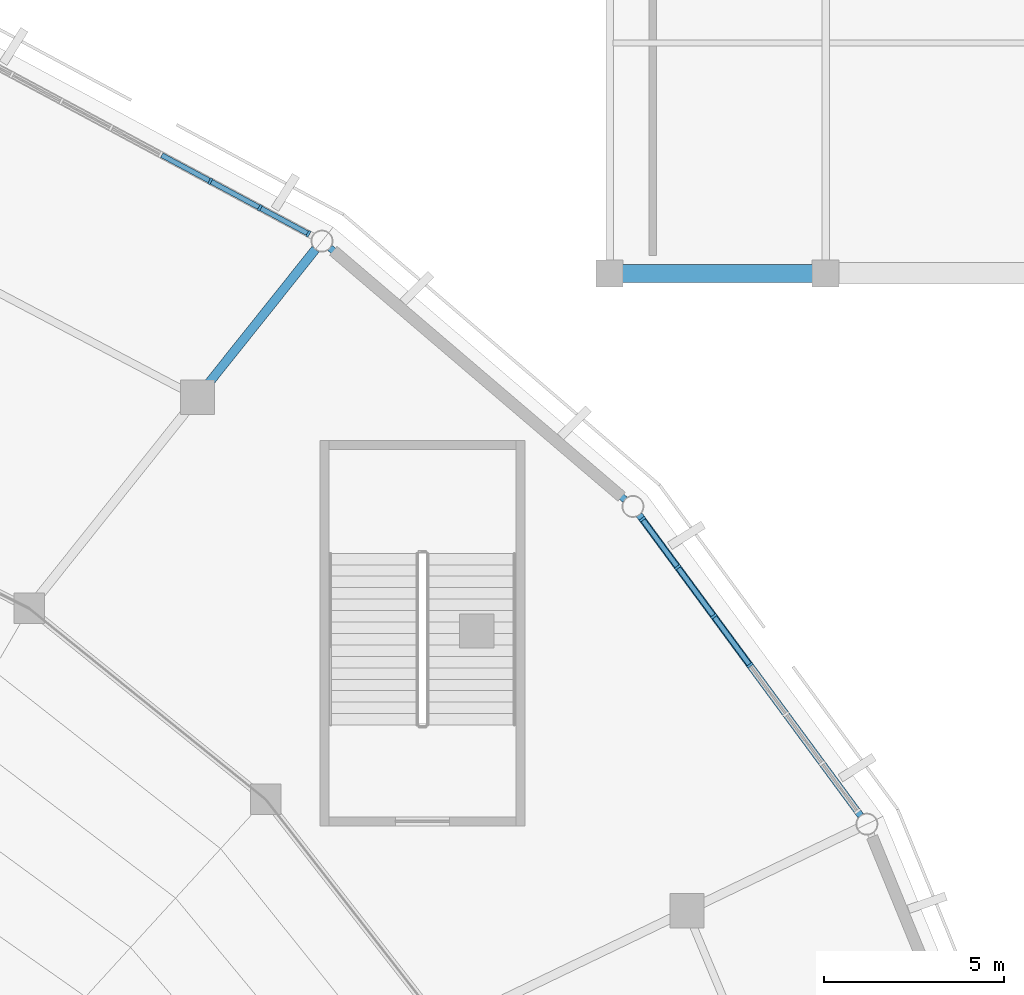
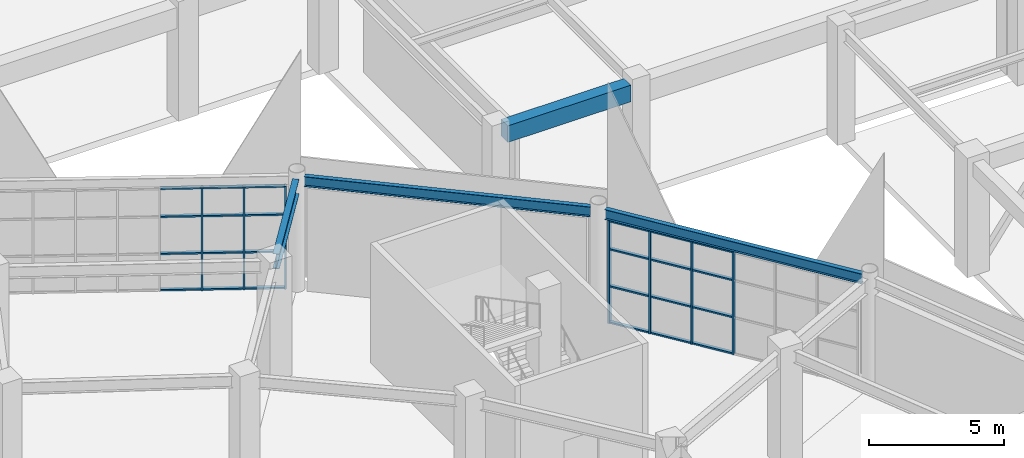
# One storey, part 44 of 120: 31 members, 4 beams, 2 elements without a shape of their own.
"""IFC4 building model written with IfcOpenShell, lengths in metres."""

from ifc_helpers import new_model, si_unit, direction, frame, origin, origin_2d, place, context, subcontext, project, spatial, rectangle, i_section, extrude, material, material_profile, profile_set, type_object, element, aggregate, save


model = new_model("IFC4")

# Units and contexts
model_context = context("Model", 3, precision=1e-05, world=origin(), true_north=direction((0.0, 1.0)))
body_context = subcontext(model_context, "Body", "Model", "MODEL_VIEW")
ifc_project = project(units=[si_unit("LENGTHUNIT", "METRE"), si_unit("AREAUNIT", "SQUARE_METRE"), si_unit("VOLUMEUNIT", "CUBIC_METRE"), si_unit("PLANEANGLEUNIT", "RADIAN"), si_unit("MASSUNIT", "GRAM", prefix="KILO")], contexts=[model_context])

# Site, building, storey
site_placement = place(None, origin())
site = spatial("IfcSite", under=ifc_project, at=site_placement, CompositionType="ELEMENT")
building_placement = place(site_placement, origin())
building = spatial("IfcBuilding", under=site, at=building_placement, Name="Cuetzalor Civic Arena", CompositionType="ELEMENT")
storey_placement = place(building_placement, frame((0.0, 0.0, 6.0)))
storey = spatial("IfcBuildingStorey", under=building, at=storey_placement, Name="L01", CompositionType="ELEMENT", Elevation=6.0)

# Beam
ifc_material_1 = material(Name="Concrete C40/50", Category="concrete")
ifc_material_profile_1 = material_profile(ifc_material_1, rectangle(XDim=0.5, YDim=0.75, at=origin_2d()), Name="RC 500x750")
ifc_profile_set_1 = profile_set([ifc_material_profile_1], Name="Concrete C40/50")
beam_type_1 = type_object("IfcBeamType", Name="ConcreteFrameBeam_500x750", PredefinedType="BEAM", material=ifc_profile_set_1)
beam_1_placement = place(storey_placement, frame((42.364990234375, 35.5, 4.705078125), z_axis=(1.0, 0.0, 0.0), x_axis=(0.0, 1.0, 0.0)))
element("IfcBeam", 1, at=beam_1_placement, inside=storey, type_object=beam_type_1, Name="Frame Girder V5-L01-X0504", PredefinedType="BEAM", context=body_context, shape_type="SweptSolid", body=[
    extrude(rectangle(XDim=0.5, YDim=0.75, at=origin_2d()), origin(), (0.0, 0.0, 1.0), 5.27001953125),
])

# Curtain wall, members
ifc_material_2 = material(Name="Anodised dark bronze aluminium and low-E solar glass", Category="aluminium")
curtain_wall_type_1 = type_object("IfcCurtainWallType", Name="UnitisedCW_10150x4650", PredefinedType="USERDEFINED", material=ifc_material_2)
curtain_wall_1_placement = place(storey_placement, origin())
curtain_wall_1 = element("IfcCurtainWall", 2, at=curtain_wall_1_placement, inside=storey, type_object=curtain_wall_type_1, Name="Drum Triangle Foyer Curtain Wall L01-021", ObjectType="UNITISED CURTAIN WALL", PredefinedType="USERDEFINED")
ifc_material_3 = material(Name="Anodised dark bronze aluminium", Category="aluminium")
ifc_material_profile_2 = material_profile(ifc_material_3, rectangle(XDim=0.070068359375, YDim=0.179931640625, at=origin_2d()), Name="ALU MULLION 70x180")
ifc_profile_set_2 = profile_set([ifc_material_profile_2], Name="Anodised dark bronze aluminium")
member_type_1 = type_object("IfcMemberType", Name="CurtainWallMullion_65x180", PredefinedType="MULLION", material=ifc_profile_set_2)
member_1_placement = place(storey_placement, frame((42.911865234375, 28.66650390625, 0.0), z_axis=(0.0, 0.0, 1.0), x_axis=(0.59292931222, -0.805254513002, 0.0)))
member_1 = element("IfcMember", 3, at=member_1_placement, type_object=member_type_1, Name="CW-06 mullion 1", PredefinedType="MULLION", context=body_context, shape_type="SweptSolid", body=[
    extrude(rectangle(XDim=0.070068359375, YDim=0.179931640625, at=origin_2d()), origin(), (0.0, 0.0, 1.0), 4.653076171875),
])
member_2_placement = place(storey_placement, frame((43.8935546875, 27.333251953125, 0.0), z_axis=(0.0, 0.0, 1.0), x_axis=(0.59292931222, -0.805254513002, 0.0)))
member_2 = element("IfcMember", 4, at=member_2_placement, type_object=member_type_1, Name="CW-06 mullion 2", PredefinedType="MULLION", context=body_context, shape_type="SweptSolid", body=[
    extrude(rectangle(XDim=0.070068359375, YDim=0.179931640625, at=origin_2d()), origin(), (0.0, 0.0, 1.0), 4.653076171875),
])
member_3_placement = place(storey_placement, frame((44.89599609375, 25.9716796875, 0.0), z_axis=(0.0, 0.0, 1.0), x_axis=(0.59292931222, -0.805254513002, 0.0)))
member_3 = element("IfcMember", 5, at=member_3_placement, type_object=member_type_1, Name="CW-06 mullion 3", PredefinedType="MULLION", context=body_context, shape_type="SweptSolid", body=[
    extrude(rectangle(XDim=0.070068359375, YDim=0.179931640625, at=origin_2d()), origin(), (0.0, 0.0, 1.0), 4.653076171875),
])
member_4_placement = place(storey_placement, frame((45.8984375, 24.6103515625, 0.0), z_axis=(0.0, 0.0, 1.0), x_axis=(0.59292931222, -0.805254513002, 0.0)))
member_4 = element("IfcMember", 6, at=member_4_placement, type_object=member_type_1, Name="CW-06 mullion 4", PredefinedType="MULLION", context=body_context, shape_type="SweptSolid", body=[
    extrude(rectangle(XDim=0.070068359375, YDim=0.179931640625, at=origin_2d()), origin(), (0.0, 0.0, 1.0), 4.653076171875),
])

ifc_material_4 = material(Name="Anodised dark bronze aluminium and low-E solar glass", Category="aluminium")
curtain_wall_type_2 = type_object("IfcCurtainWallType", Name="UnitisedCW_10950x4650", PredefinedType="USERDEFINED", material=ifc_material_4)
curtain_wall_2_placement = place(storey_placement, origin())
curtain_wall_2 = element("IfcCurtainWall", 7, at=curtain_wall_2_placement, inside=storey, type_object=curtain_wall_type_2, Name="Drum Triangle Foyer Curtain Wall L01-022", ObjectType="UNITISED CURTAIN WALL", PredefinedType="USERDEFINED")
member_5_placement = place(storey_placement, frame((30.9072265625, 38.058837890625, 0.0), z_axis=(0.0, 0.0, 1.0), x_axis=(0.881306344124, -0.472545371163, 0.0)))
member_5 = element("IfcMember", 8, at=member_5_placement, type_object=member_type_1, Name="CW-07 mullion 6", PredefinedType="MULLION", context=body_context, shape_type="SweptSolid", body=[
    extrude(rectangle(XDim=0.070068359375, YDim=0.179931640625, at=origin_2d()), origin(), (0.0, 0.0, 1.0), 4.653076171875),
])
member_6_placement = place(storey_placement, frame((32.28515625, 37.31982421875, 0.0), z_axis=(0.0, 0.0, 1.0), x_axis=(0.881306344124, -0.472545371163, 0.0)))
member_6 = element("IfcMember", 9, at=member_6_placement, type_object=member_type_1, Name="CW-07 mullion 7", PredefinedType="MULLION", context=body_context, shape_type="SweptSolid", body=[
    extrude(rectangle(XDim=0.070068359375, YDim=0.179931640625, at=origin_2d()), origin(), (0.0, 0.0, 1.0), 4.653076171875),
])
member_7_placement = place(storey_placement, frame((33.632568359375, 36.597412109375, 0.0), z_axis=(0.0, 0.0, 1.0), x_axis=(0.881306344124, -0.472545371163, 0.0)))
member_7 = element("IfcMember", 10, at=member_7_placement, type_object=member_type_1, Name="CW-07 mullion 8", PredefinedType="MULLION", context=body_context, shape_type="SweptSolid", body=[
    extrude(rectangle(XDim=0.070068359375, YDim=0.179931640625, at=origin_2d()), origin(), (0.0, 0.0, 1.0), 4.653076171875),
])

# Member
ifc_material_5 = material(Name="Anodised dark bronze aluminium", Category="aluminium")
ifc_material_profile_3 = material_profile(ifc_material_5, rectangle(XDim=0.139892578125, YDim=0.070068359375, at=origin_2d()), Name="ALU TRANSOM 70x140")
ifc_profile_set_3 = profile_set([ifc_material_profile_3], Name="Anodised dark bronze aluminium")
member_type_2 = type_object("IfcMemberType", Name="CurtainWallTransom_65x140", PredefinedType="USERDEFINED", material=ifc_profile_set_3)
member_8_placement = place(storey_placement, frame((42.9326171875, 28.63818359375, 0.034912109375), z_axis=(0.59293115048, -0.805253159442, 0.0), x_axis=(0.805253159442, 0.59293115048, 0.0)))
member_8 = element("IfcMember", 11, at=member_8_placement, type_object=member_type_2, Name="CW-06 transom 1.1", ObjectType="TRANSOM", PredefinedType="USERDEFINED", context=body_context, shape_type="SweptSolid", body=[
    extrude(rectangle(XDim=0.139892578125, YDim=0.070068359375, at=origin_2d()), origin(), (0.0, 0.0, 1.0), 1.585693359375),
])

member_9_placement = place(storey_placement, frame((42.9326171875, 28.63818359375, 1.675048828125), z_axis=(0.59293115048, -0.805253159442, 0.0), x_axis=(0.805253159442, 0.59293115048, 0.0)))
member_9 = element("IfcMember", 12, at=member_9_placement, type_object=member_type_2, Name="CW-06 transom 1.2", ObjectType="TRANSOM", PredefinedType="USERDEFINED", context=body_context, shape_type="SweptSolid", body=[
    extrude(rectangle(XDim=0.139892578125, YDim=0.070068359375, at=origin_2d()), origin(), (0.0, 0.0, 1.0), 1.585693359375),
])

member_10_placement = place(storey_placement, frame((42.9326171875, 28.63818359375, 3.35009765625), z_axis=(0.59293115048, -0.805253159442, 0.0), x_axis=(0.805253159442, 0.59293115048, 0.0)))
member_10 = element("IfcMember", 13, at=member_10_placement, type_object=member_type_2, Name="CW-06 transom 1.3", ObjectType="TRANSOM", PredefinedType="USERDEFINED", context=body_context, shape_type="SweptSolid", body=[
    extrude(rectangle(XDim=0.139892578125, YDim=0.070068359375, at=origin_2d()), origin(), (0.0, 0.0, 1.0), 1.585693359375),
])

member_11_placement = place(storey_placement, frame((42.9326171875, 28.63818359375, 4.617919921875), z_axis=(0.59293115048, -0.805253159442, 0.0), x_axis=(0.805253159442, 0.59293115048, 0.0)))
member_11 = element("IfcMember", 14, at=member_11_placement, type_object=member_type_2, Name="CW-06 transom 1.4", ObjectType="TRANSOM", PredefinedType="USERDEFINED", context=body_context, shape_type="SweptSolid", body=[
    extrude(rectangle(XDim=0.139892578125, YDim=0.070068359375, at=origin_2d()), origin(), (0.0, 0.0, 1.0), 1.585693359375),
])

member_12_placement = place(storey_placement, frame((43.914306640625, 27.304931640625, 0.034912109375), z_axis=(0.592962622822, -0.805229984499, 0.0), x_axis=(0.805229984499, 0.592962622822, 0.0)))
member_12 = element("IfcMember", 15, at=member_12_placement, type_object=member_type_2, Name="CW-06 transom 2.1", ObjectType="TRANSOM", PredefinedType="USERDEFINED", context=body_context, shape_type="SweptSolid", body=[
    extrude(rectangle(XDim=0.139892578125, YDim=0.070068359375, at=origin_2d()), origin(), (0.0, 0.0, 1.0), 1.62060546875),
])

member_13_placement = place(storey_placement, frame((43.914306640625, 27.304931640625, 1.675048828125), z_axis=(0.592962622822, -0.805229984499, 0.0), x_axis=(0.805229984499, 0.592962622822, 0.0)))
member_13 = element("IfcMember", 16, at=member_13_placement, type_object=member_type_2, Name="CW-06 transom 2.2", ObjectType="TRANSOM", PredefinedType="USERDEFINED", context=body_context, shape_type="SweptSolid", body=[
    extrude(rectangle(XDim=0.139892578125, YDim=0.070068359375, at=origin_2d()), origin(), (0.0, 0.0, 1.0), 1.62060546875),
])

member_14_placement = place(storey_placement, frame((43.914306640625, 27.304931640625, 3.35009765625), z_axis=(0.592962622822, -0.805229984499, 0.0), x_axis=(0.805229984499, 0.592962622822, 0.0)))
member_14 = element("IfcMember", 17, at=member_14_placement, type_object=member_type_2, Name="CW-06 transom 2.3", ObjectType="TRANSOM", PredefinedType="USERDEFINED", context=body_context, shape_type="SweptSolid", body=[
    extrude(rectangle(XDim=0.139892578125, YDim=0.070068359375, at=origin_2d()), origin(), (0.0, 0.0, 1.0), 1.62060546875),
])

member_15_placement = place(storey_placement, frame((43.914306640625, 27.304931640625, 4.617919921875), z_axis=(0.592962622822, -0.805229984499, 0.0), x_axis=(0.805229984499, 0.592962622822, 0.0)))
member_15 = element("IfcMember", 18, at=member_15_placement, type_object=member_type_2, Name="CW-06 transom 2.4", ObjectType="TRANSOM", PredefinedType="USERDEFINED", context=body_context, shape_type="SweptSolid", body=[
    extrude(rectangle(XDim=0.139892578125, YDim=0.070068359375, at=origin_2d()), origin(), (0.0, 0.0, 1.0), 1.62060546875),
])

member_16_placement = place(storey_placement, frame((44.916748046875, 25.943603515625, 0.034912109375), z_axis=(0.592962622822, -0.805229984499, 0.0), x_axis=(0.805229984499, 0.592962622822, 0.0)))
member_16 = element("IfcMember", 19, at=member_16_placement, type_object=member_type_2, Name="CW-06 transom 3.1", ObjectType="TRANSOM", PredefinedType="USERDEFINED", context=body_context, shape_type="SweptSolid", body=[
    extrude(rectangle(XDim=0.139892578125, YDim=0.070068359375, at=origin_2d()), origin(), (0.0, 0.0, 1.0), 1.62060546875),
])

member_17_placement = place(storey_placement, frame((44.916748046875, 25.943603515625, 1.675048828125), z_axis=(0.592962622822, -0.805229984499, 0.0), x_axis=(0.805229984499, 0.592962622822, 0.0)))
member_17 = element("IfcMember", 20, at=member_17_placement, type_object=member_type_2, Name="CW-06 transom 3.2", ObjectType="TRANSOM", PredefinedType="USERDEFINED", context=body_context, shape_type="SweptSolid", body=[
    extrude(rectangle(XDim=0.139892578125, YDim=0.070068359375, at=origin_2d()), origin(), (0.0, 0.0, 1.0), 1.62060546875),
])

member_18_placement = place(storey_placement, frame((44.916748046875, 25.943603515625, 3.35009765625), z_axis=(0.592962622822, -0.805229984499, 0.0), x_axis=(0.805229984499, 0.592962622822, 0.0)))
member_18 = element("IfcMember", 21, at=member_18_placement, type_object=member_type_2, Name="CW-06 transom 3.3", ObjectType="TRANSOM", PredefinedType="USERDEFINED", context=body_context, shape_type="SweptSolid", body=[
    extrude(rectangle(XDim=0.139892578125, YDim=0.070068359375, at=origin_2d()), origin(), (0.0, 0.0, 1.0), 1.62060546875),
])

member_19_placement = place(storey_placement, frame((44.916748046875, 25.943603515625, 4.617919921875), z_axis=(0.592962622822, -0.805229984499, 0.0), x_axis=(0.805229984499, 0.592962622822, 0.0)))
member_19 = element("IfcMember", 22, at=member_19_placement, type_object=member_type_2, Name="CW-06 transom 3.4", ObjectType="TRANSOM", PredefinedType="USERDEFINED", context=body_context, shape_type="SweptSolid", body=[
    extrude(rectangle(XDim=0.139892578125, YDim=0.070068359375, at=origin_2d()), origin(), (0.0, 0.0, 1.0), 1.62060546875),
])

aggregate(curtain_wall_1, [member_1, member_2, member_3, member_4, member_8, member_9, member_10, member_11, member_12, member_13, member_14, member_15, member_16, member_17, member_18, member_19])

member_20_placement = place(storey_placement, frame((29.559814453125, 38.78125, 0.034912109375), z_axis=(0.881314685602, -0.472529813812, 0.0), x_axis=(0.472529813812, 0.881314685602, 0.0)))
member_20 = element("IfcMember", 23, at=member_20_placement, type_object=member_type_2, Name="CW-07 transom 5.1", ObjectType="TRANSOM", PredefinedType="USERDEFINED", context=body_context, shape_type="SweptSolid", body=[
    extrude(rectangle(XDim=0.139892578125, YDim=0.070068359375, at=origin_2d()), origin(), (0.0, 0.0, 1.0), 1.49365234375),
])

member_21_placement = place(storey_placement, frame((29.559814453125, 38.78125, 1.675048828125), z_axis=(0.881314685602, -0.472529813812, 0.0), x_axis=(0.472529813812, 0.881314685602, 0.0)))
member_21 = element("IfcMember", 24, at=member_21_placement, type_object=member_type_2, Name="CW-07 transom 5.2", ObjectType="TRANSOM", PredefinedType="USERDEFINED", context=body_context, shape_type="SweptSolid", body=[
    extrude(rectangle(XDim=0.139892578125, YDim=0.070068359375, at=origin_2d()), origin(), (0.0, 0.0, 1.0), 1.49365234375),
])

member_22_placement = place(storey_placement, frame((29.559814453125, 38.78125, 3.35009765625), z_axis=(0.881314685602, -0.472529813812, 0.0), x_axis=(0.472529813812, 0.881314685602, 0.0)))
member_22 = element("IfcMember", 25, at=member_22_placement, type_object=member_type_2, Name="CW-07 transom 5.3", ObjectType="TRANSOM", PredefinedType="USERDEFINED", context=body_context, shape_type="SweptSolid", body=[
    extrude(rectangle(XDim=0.139892578125, YDim=0.070068359375, at=origin_2d()), origin(), (0.0, 0.0, 1.0), 1.49365234375),
])

member_23_placement = place(storey_placement, frame((29.559814453125, 38.78125, 4.617919921875), z_axis=(0.881314685602, -0.472529813812, 0.0), x_axis=(0.472529813812, 0.881314685602, 0.0)))
member_23 = element("IfcMember", 26, at=member_23_placement, type_object=member_type_2, Name="CW-07 transom 5.4", ObjectType="TRANSOM", PredefinedType="USERDEFINED", context=body_context, shape_type="SweptSolid", body=[
    extrude(rectangle(XDim=0.139892578125, YDim=0.070068359375, at=origin_2d()), origin(), (0.0, 0.0, 1.0), 1.49365234375),
])

member_24_placement = place(storey_placement, frame((30.93798828125, 38.042236328125, 0.034912109375), z_axis=(0.881314685602, -0.472529813812, 0.0), x_axis=(0.472529813812, 0.881314685602, 0.0)))
member_24 = element("IfcMember", 27, at=member_24_placement, type_object=member_type_2, Name="CW-07 transom 6.1", ObjectType="TRANSOM", PredefinedType="USERDEFINED", context=body_context, shape_type="SweptSolid", body=[
    extrude(rectangle(XDim=0.139892578125, YDim=0.070068359375, at=origin_2d()), origin(), (0.0, 0.0, 1.0), 1.49365234375),
])

member_25_placement = place(storey_placement, frame((30.93798828125, 38.042236328125, 1.675048828125), z_axis=(0.881314685602, -0.472529813812, 0.0), x_axis=(0.472529813812, 0.881314685602, 0.0)))
member_25 = element("IfcMember", 28, at=member_25_placement, type_object=member_type_2, Name="CW-07 transom 6.2", ObjectType="TRANSOM", PredefinedType="USERDEFINED", context=body_context, shape_type="SweptSolid", body=[
    extrude(rectangle(XDim=0.139892578125, YDim=0.070068359375, at=origin_2d()), origin(), (0.0, 0.0, 1.0), 1.49365234375),
])

member_26_placement = place(storey_placement, frame((30.93798828125, 38.042236328125, 3.35009765625), z_axis=(0.881314685602, -0.472529813812, 0.0), x_axis=(0.472529813812, 0.881314685602, 0.0)))
member_26 = element("IfcMember", 29, at=member_26_placement, type_object=member_type_2, Name="CW-07 transom 6.3", ObjectType="TRANSOM", PredefinedType="USERDEFINED", context=body_context, shape_type="SweptSolid", body=[
    extrude(rectangle(XDim=0.139892578125, YDim=0.070068359375, at=origin_2d()), origin(), (0.0, 0.0, 1.0), 1.49365234375),
])

member_27_placement = place(storey_placement, frame((30.93798828125, 38.042236328125, 4.617919921875), z_axis=(0.881314685602, -0.472529813812, 0.0), x_axis=(0.472529813812, 0.881314685602, 0.0)))
member_27 = element("IfcMember", 30, at=member_27_placement, type_object=member_type_2, Name="CW-07 transom 6.4", ObjectType="TRANSOM", PredefinedType="USERDEFINED", context=body_context, shape_type="SweptSolid", body=[
    extrude(rectangle(XDim=0.139892578125, YDim=0.070068359375, at=origin_2d()), origin(), (0.0, 0.0, 1.0), 1.49365234375),
])

member_28_placement = place(storey_placement, frame((32.316162109375, 37.30322265625, 0.034912109375), z_axis=(0.881345577681, -0.472472192517, 0.0), x_axis=(0.472472192517, 0.881345577681, 0.0)))
member_28 = element("IfcMember", 31, at=member_28_placement, type_object=member_type_2, Name="CW-07 transom 7.1", ObjectType="TRANSOM", PredefinedType="USERDEFINED", context=body_context, shape_type="SweptSolid", body=[
    extrude(rectangle(XDim=0.139892578125, YDim=0.070068359375, at=origin_2d()), origin(), (0.0, 0.0, 1.0), 1.458740234375),
])

member_29_placement = place(storey_placement, frame((32.316162109375, 37.30322265625, 1.675048828125), z_axis=(0.881345577681, -0.472472192517, 0.0), x_axis=(0.472472192517, 0.881345577681, 0.0)))
member_29 = element("IfcMember", 32, at=member_29_placement, type_object=member_type_2, Name="CW-07 transom 7.2", ObjectType="TRANSOM", PredefinedType="USERDEFINED", context=body_context, shape_type="SweptSolid", body=[
    extrude(rectangle(XDim=0.139892578125, YDim=0.070068359375, at=origin_2d()), origin(), (0.0, 0.0, 1.0), 1.458740234375),
])

member_30_placement = place(storey_placement, frame((32.316162109375, 37.30322265625, 3.35009765625), z_axis=(0.881345577681, -0.472472192517, 0.0), x_axis=(0.472472192517, 0.881345577681, 0.0)))
member_30 = element("IfcMember", 33, at=member_30_placement, type_object=member_type_2, Name="CW-07 transom 7.3", ObjectType="TRANSOM", PredefinedType="USERDEFINED", context=body_context, shape_type="SweptSolid", body=[
    extrude(rectangle(XDim=0.139892578125, YDim=0.070068359375, at=origin_2d()), origin(), (0.0, 0.0, 1.0), 1.458740234375),
])

member_31_placement = place(storey_placement, frame((32.316162109375, 37.30322265625, 4.617919921875), z_axis=(0.881345577681, -0.472472192517, 0.0), x_axis=(0.472472192517, 0.881345577681, 0.0)))
member_31 = element("IfcMember", 34, at=member_31_placement, type_object=member_type_2, Name="CW-07 transom 7.4", ObjectType="TRANSOM", PredefinedType="USERDEFINED", context=body_context, shape_type="SweptSolid", body=[
    extrude(rectangle(XDim=0.139892578125, YDim=0.070068359375, at=origin_2d()), origin(), (0.0, 0.0, 1.0), 1.458740234375),
])

aggregate(curtain_wall_2, [member_5, member_6, member_7, member_20, member_21, member_22, member_23, member_24, member_25, member_26, member_27, member_28, member_29, member_30, member_31])

# Beams
ifc_material_6 = material(Name="Steel S355", Category="steel")
ifc_material_profile_4 = material_profile(ifc_material_6, i_section(OverallWidth=0.18994140625, OverallDepth=0.45703125, WebThickness=0.009033203125, FlangeThickness=0.014404296875, at=origin_2d()), Name="W460x74")
ifc_profile_set_4 = profile_set([ifc_material_profile_4], Name="Steel S355")
beam_type_2 = type_object("IfcBeamType", Name="FacadeSpandrelBeam_W460", PredefinedType="SPANDREL", material=ifc_profile_set_4)
beam_2_placement = place(storey_placement, frame((48.975830078125, 20.430908203125, 4.8916015625), z_axis=(-0.592928645702, 0.805255003776, 0.0), x_axis=(-0.805255003776, -0.592928645702, 0.0)))
element("IfcBeam", 35, at=beam_2_placement, inside=storey, type_object=beam_type_2, Name="Drum Perimeter Spandrel L01-S03", PredefinedType="SPANDREL", context=body_context, shape_type="SweptSolid", body=[
    extrude(i_section(OverallWidth=0.18994140625, OverallDepth=0.45703125, WebThickness=0.009033203125, FlangeThickness=0.014404296875, at=origin_2d()), origin(), (0.0, 0.0, 1.0), 10.380615234375),
])
beam_3_placement = place(storey_placement, frame((42.42822265625, 29.211669921875, 4.8916015625), z_axis=(-0.760676650628, 0.649130983076, 0.0), x_axis=(-0.649130983076, -0.760676650628, 0.0)))
element("IfcBeam", 36, at=beam_3_placement, inside=storey, type_object=beam_type_2, Name="Drum Perimeter Spandrel L01-S04", PredefinedType="SPANDREL", context=body_context, shape_type="SweptSolid", body=[
    extrude(i_section(OverallWidth=0.18994140625, OverallDepth=0.45703125, WebThickness=0.009033203125, FlangeThickness=0.014404296875, at=origin_2d()), origin(), (0.0, 0.0, 1.0), 10.77490234375),
])
ifc_material_7 = material(Name="Steel S355", Category="steel")
ifc_material_profile_5 = material_profile(ifc_material_7, i_section(OverallWidth=0.2529296875, OverallDepth=0.677978515625, WebThickness=0.01171875, FlangeThickness=0.016357421875, at=origin_2d()), Name="W690x125")
ifc_profile_set_5 = profile_set([ifc_material_profile_5], Name="Steel S355")
beam_type_3 = type_object("IfcBeamType", Name="SteelPrimaryGirder_W690", PredefinedType="BEAM", material=ifc_profile_set_5)
beam_4_placement = place(storey_placement, frame((30.775390625, 32.336669921875, 4.781005859375), z_axis=(0.623515538789, 0.781810957258, 0.0), x_axis=(-0.781810957258, 0.623515538789, 0.0)))
element("IfcBeam", 37, at=beam_4_placement, inside=storey, type_object=beam_type_3, Name="Drum Radial Girder L01-R05", PredefinedType="BEAM", context=body_context, shape_type="SweptSolid", body=[
    extrude(i_section(OverallWidth=0.2529296875, OverallDepth=0.677978515625, WebThickness=0.01171875, FlangeThickness=0.016357421875, at=origin_2d()), origin(), (0.0, 0.0, 1.0), 4.89990234375),
])

save(model, "model.ifc")
